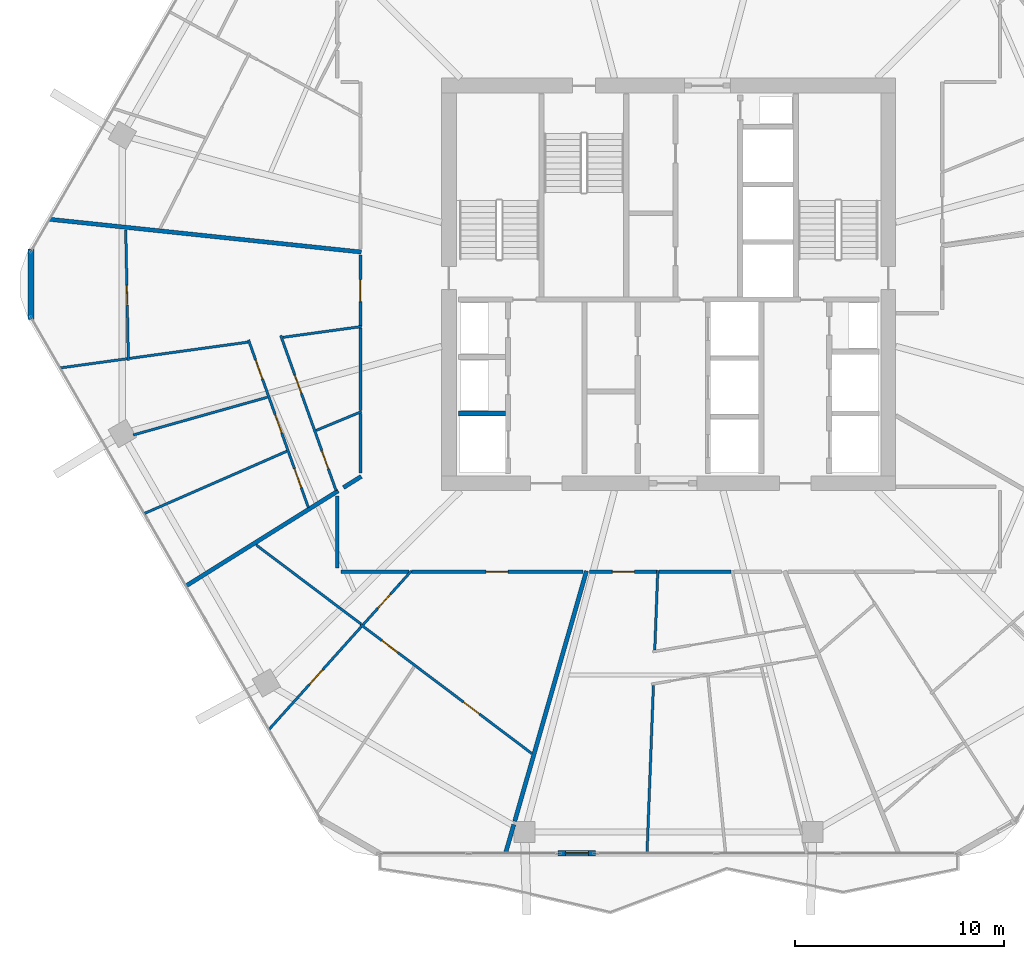
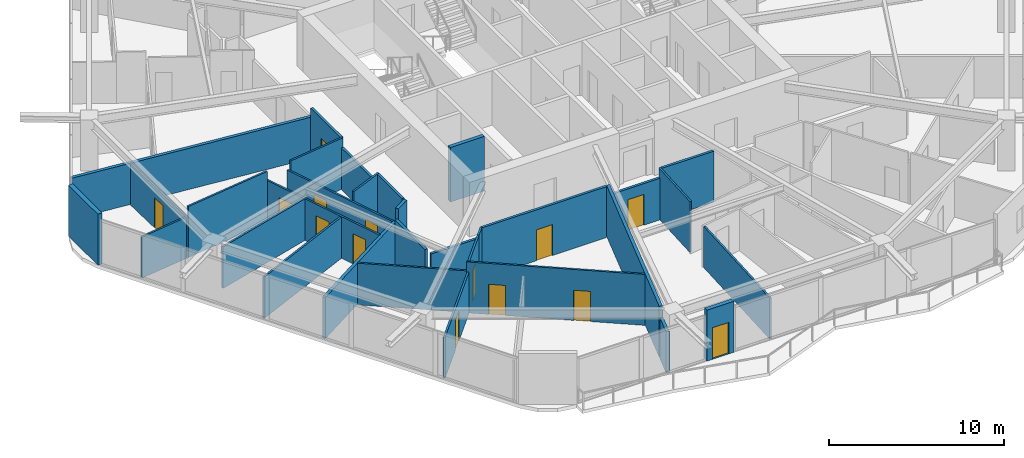
# One storey, part 17 of 25: 32 walls, 14 doors, 14 openings.
"""IFC4 building model written with IfcOpenShell, lengths in metres."""

from ifc_helpers import new_model, si_unit, direction, frame, frame_2d, origin, place, context, subcontext, project, spatial, rectangle, extrude, material, layer, layer_set, type_object, element, fill, save


model = new_model("IFC4")

# Units and contexts
model_context = context("Model", 3, precision=1e-05, world=origin(), true_north=direction((0.0, 1.0)))
body_context = subcontext(model_context, "Body", "Model", "MODEL_VIEW")
ifc_project = project(units=[si_unit("LENGTHUNIT", "METRE"), si_unit("AREAUNIT", "SQUARE_METRE"), si_unit("VOLUMEUNIT", "CUBIC_METRE"), si_unit("PLANEANGLEUNIT", "RADIAN"), si_unit("MASSUNIT", "GRAM", prefix="KILO")], contexts=[model_context])

# Site, building, storey
site_placement = place(None, origin())
site = spatial("IfcSite", under=ifc_project, at=site_placement, CompositionType="ELEMENT")
building_placement = place(site_placement, origin())
building = spatial("IfcBuilding", under=site, at=building_placement, Name="Zuhravey Tower", CompositionType="ELEMENT")
storey_placement = place(building_placement, frame((0.0, 0.0, 150.39990234375)))
storey = spatial("IfcBuildingStorey", under=building, at=storey_placement, Name="L37", CompositionType="ELEMENT", Elevation=150.39990234375)

# Wall, opening, door
ifc_material_1 = material(Name="Gypsum fire-rated stud partition")
ifc_layer_1 = layer(ifc_material_1, 0.159912109375)
ifc_layer_set_1 = layer_set([ifc_layer_1], Name="Gypsum fire-rated stud partition")
wall_type_1 = type_object("IfcWallType", Name="Corridor Fire Partition 160", PredefinedType="PARTITIONING", material=ifc_layer_set_1)
wall_1_placement = place(storey_placement, frame((21.27001953125, 33.398193359375, 0.0), z_axis=(0.0, 0.0, 1.0), x_axis=(0.0, -1.0, 0.0)))
wall_1 = element("IfcWall", 1, at=wall_1_placement, inside=storey, type_object=wall_type_1, Name="L37 IW16 Partition 041", PredefinedType="PARTITIONING", context=body_context, shape_type="SweptSolid", body=[
    extrude(rectangle(XDim=3.40087890625, YDim=0.159912109375, at=frame_2d((1.700439453125, 0.0))), origin(), (0.0, 0.0, 1.0), 3.550048828125),
])
opening_1_placement = place(wall_1_placement, frame((1.175537109375, 0.0, 0.0)))
opening_1 = element("IfcOpeningElement", 2, at=opening_1_placement, cuts=wall_1, Name="Opening APD1", PredefinedType="OPENING", context=body_context, shape_type="SweptSolid", body=[
    extrude(rectangle(XDim=1.050048828125, YDim=2.14990234375, at=frame_2d((0.52490234375, 1.074951171875))), frame((0.0, 0.092041015625, 0.0), z_axis=(0.0, -1.0, 0.0), x_axis=(1.0, 0.0, 0.0)), (0.0, 0.0, 1.0), 0.183837890625),
])
ifc_material_2 = material(Name="Solid-core oak fire-rated leaf")
door_type_1 = type_object("IfcDoorType", Name="Apartment Entrance Fire Door 1050x2150", OperationType="NOTDEFINED", PredefinedType="DOOR", material=ifc_material_2)
door_1_placement = place(opening_1_placement, frame((1.050048828125, 0.0, 0.0), z_axis=(0.0, 0.0, 1.0), x_axis=(-1.0, 0.0, 0.0)))
door_1 = element("IfcDoor", 3, at=door_1_placement, inside=storey, type_object=door_type_1, Name="L37 Door 041.1", OperationType="SINGLE_SWING_LEFT", OverallHeight=2.14990234375, OverallWidth=1.050048828125, PredefinedType="DOOR", context=body_context, shape_type="SweptSolid", body=[
    extrude(rectangle(XDim=1.050048828125, YDim=2.14990234375, at=frame_2d((0.52490234375, 1.074951171875))), frame((0.0, 0.02490234375, 0.0), z_axis=(0.0, -1.0, 0.0), x_axis=(1.0, 0.0, 0.0)), (0.0, 0.0, 1.0), 0.050048828125),
])
fill(opening_1, door_1)

wall_2_placement = place(storey_placement, frame((23.698974609375, 18.27001953125, 0.0), z_axis=(0.0, 0.0, 1.0), x_axis=(1.0, 0.0, 0.0)))
wall_2 = element("IfcWall", 4, at=wall_2_placement, inside=storey, type_object=wall_type_1, Name="L37 IW16 Partition 045", PredefinedType="PARTITIONING", context=body_context, shape_type="SweptSolid", body=[
    extrude(rectangle(XDim=8.213134765625, YDim=0.159912109375, at=frame_2d((4.1064453125, 0.0))), origin(), (0.0, 0.0, 1.0), 3.550048828125),
])
opening_2_placement = place(wall_2_placement, frame((3.58154296875, 0.0, 0.0)))
opening_2 = element("IfcOpeningElement", 5, at=opening_2_placement, cuts=wall_2, Name="Opening APD1", PredefinedType="OPENING", context=body_context, shape_type="SweptSolid", body=[
    extrude(rectangle(XDim=1.050048828125, YDim=2.14990234375, at=frame_2d((0.52490234375, 1.074951171875))), frame((0.0, 0.092041015625, 0.0), z_axis=(0.0, -1.0, 0.0), x_axis=(1.0, 0.0, 0.0)), (0.0, 0.0, 1.0), 0.183837890625),
])
door_2_placement = place(opening_2_placement, frame((1.050048828125, 0.0, 0.0), z_axis=(0.0, 0.0, 1.0), x_axis=(-1.0, 0.0, 0.0)))
door_2 = element("IfcDoor", 6, at=door_2_placement, inside=storey, type_object=door_type_1, Name="L37 Door 045.1", OperationType="SINGLE_SWING_RIGHT", OverallHeight=2.14990234375, OverallWidth=1.050048828125, PredefinedType="DOOR", context=body_context, shape_type="SweptSolid", body=[
    extrude(rectangle(XDim=1.050048828125, YDim=2.14990234375, at=frame_2d((0.52490234375, 1.074951171875))), frame((0.0, 0.02490234375, 0.0), z_axis=(0.0, -1.0, 0.0), x_axis=(1.0, 0.0, 0.0)), (0.0, 0.0, 1.0), 0.050048828125),
])
fill(opening_2, door_2)

wall_3_placement = place(storey_placement, frame((32.213134765625, 18.27001953125, 0.0), z_axis=(0.0, 0.0, 1.0), x_axis=(1.0, 0.0, 0.0)))
wall_3 = element("IfcWall", 7, at=wall_3_placement, inside=storey, type_object=wall_type_1, Name="L37 IW16 Partition 048", PredefinedType="PARTITIONING", context=body_context, shape_type="SweptSolid", body=[
    extrude(rectangle(XDim=3.244140625, YDim=0.159912109375, at=frame_2d((1.6220703125, 0.0))), origin(), (0.0, 0.0, 1.0), 2.900146484375),
])
opening_3_placement = place(wall_3_placement, frame((1.09716796875, 0.0, 0.0)))
opening_3 = element("IfcOpeningElement", 8, at=opening_3_placement, cuts=wall_3, Name="Opening APD1", PredefinedType="OPENING", context=body_context, shape_type="SweptSolid", body=[
    extrude(rectangle(XDim=1.050048828125, YDim=2.14990234375, at=frame_2d((0.52490234375, 1.074951171875))), frame((0.0, 0.092041015625, 0.0), z_axis=(0.0, -1.0, 0.0), x_axis=(1.0, 0.0, 0.0)), (0.0, 0.0, 1.0), 0.183837890625),
])
door_3_placement = place(opening_3_placement, frame((1.050048828125, 0.0, 0.0), z_axis=(0.0, 0.0, 1.0), x_axis=(-1.0, 0.0, 0.0)))
door_3 = element("IfcDoor", 9, at=door_3_placement, inside=storey, type_object=door_type_1, Name="L37 Door 048.1", OperationType="SINGLE_SWING_RIGHT", OverallHeight=2.14990234375, OverallWidth=1.050048828125, PredefinedType="DOOR", context=body_context, shape_type="SweptSolid", body=[
    extrude(rectangle(XDim=1.050048828125, YDim=2.14990234375, at=frame_2d((0.52490234375, 1.074951171875))), frame((0.0, 0.02490234375, 0.0), z_axis=(0.0, -1.0, 0.0), x_axis=(1.0, 0.0, 0.0)), (0.0, 0.0, 1.0), 0.050048828125),
])
fill(opening_3, door_3)

# Walls
wall_4_placement = place(storey_placement, frame((21.27001953125, 29.908203125, 0.0), z_axis=(0.0, 0.0, 1.0), x_axis=(0.0, -1.0, 0.0)))
element("IfcWall", 10, at=wall_4_placement, inside=storey, type_object=wall_type_1, Name="L37 IW16 Partition 123", PredefinedType="PARTITIONING", context=body_context, shape_type="SweptSolid", body=[
    extrude(rectangle(XDim=3.9365234375, YDim=0.159912109375, at=frame_2d((1.96826171875, 0.0))), origin(), (0.0, 0.0, 1.0), 2.900146484375),
])
wall_5_placement = place(storey_placement, frame((21.27001953125, 25.82470703125, 0.0), z_axis=(0.0, 0.0, 1.0), x_axis=(0.0, -1.0, 0.0)))
element("IfcWall", 11, at=wall_5_placement, inside=storey, type_object=wall_type_1, Name="L37 IW16 Partition 124", PredefinedType="PARTITIONING", context=body_context, shape_type="SweptSolid", body=[
    extrude(rectangle(XDim=2.827880859375, YDim=0.159912109375, at=frame_2d((1.4140625, 0.0))), origin(), (0.0, 0.0, 1.0), 3.550048828125),
])
wall_6_placement = place(storey_placement, frame((20.169921875, 21.8916015625, 0.0), z_axis=(0.0, 0.0, 1.0), x_axis=(0.0, -1.0, 0.0)))
element("IfcWall", 12, at=wall_6_placement, inside=storey, type_object=wall_type_1, Name="L37 IW16 Partition 125", PredefinedType="PARTITIONING", context=body_context, shape_type="SweptSolid", body=[
    extrude(rectangle(XDim=3.441650390625, YDim=0.159912109375, at=frame_2d((1.720703125, 0.0))), origin(), (0.0, 0.0, 1.0), 3.150146484375),
])
wall_7_placement = place(storey_placement, frame((20.35009765625, 18.27001953125, 0.0), z_axis=(0.0, 0.0, 1.0), x_axis=(1.0, 0.0, 0.0)))
element("IfcWall", 13, at=wall_7_placement, inside=storey, type_object=wall_type_1, Name="L37 IW16 Partition 126", PredefinedType="PARTITIONING", context=body_context, shape_type="SweptSolid", body=[
    extrude(rectangle(XDim=3.230712890625, YDim=0.159912109375, at=frame_2d((1.615234375, 0.0))), origin(), (0.0, 0.0, 1.0), 2.900146484375),
])
wall_8_placement = place(storey_placement, frame((35.54541015625, 18.27001953125, 0.0), z_axis=(0.0, 0.0, 1.0), x_axis=(1.0, 0.0, 0.0)))
element("IfcWall", 14, at=wall_8_placement, inside=storey, type_object=wall_type_1, Name="L37 IW16 Partition 127", PredefinedType="PARTITIONING", context=body_context, shape_type="SweptSolid", body=[
    extrude(rectangle(XDim=3.42919921875, YDim=0.159912109375, at=frame_2d((1.714599609375, 0.0))), origin(), (0.0, 0.0, 1.0), 3.550048828125),
])

# Wall, opening, door
ifc_material_3 = material(Name="Precast concrete C40/50", Category="concrete")
ifc_layer_2 = layer(ifc_material_3, 0.280029296875)
ifc_layer_set_2 = layer_set([ifc_layer_2], Name="Precast concrete C40/50")
wall_type_2 = type_object("IfcWallType", Name="Crown Architectural Wall 280", PredefinedType="SOLIDWALL", material=ifc_layer_set_2)
wall_9_placement = place(storey_placement, frame((32.509521484375, 4.81689453125, 0.0), z_axis=(0.0, 0.0, 1.0), x_axis=(-1.0, 0.0, 0.0)))
wall_9 = element("IfcWall", 15, at=wall_9_placement, inside=storey, type_object=wall_type_2, Name="L37 Face 5 Facade Pier EW28-1", PredefinedType="SOLIDWALL", context=body_context, shape_type="SweptSolid", body=[
    extrude(rectangle(XDim=1.7900390625, YDim=0.280029296875, at=frame_2d((0.89501953125, 0.0))), origin(), (0.0, 0.0, 1.0), 3.550048828125),
])
opening_4_placement = place(wall_9_placement, frame((0.344970703125, 0.0, 0.0)))
opening_4 = element("IfcOpeningElement", 16, at=opening_4_placement, cuts=wall_9, Name="Opening BLD1", PredefinedType="OPENING", context=body_context, shape_type="SweptSolid", body=[
    extrude(rectangle(XDim=1.10009765625, YDim=2.199951171875, at=frame_2d((0.550048828125, 1.10009765625))), frame((0.0, 0.152099609375, 0.0), z_axis=(0.0, -1.0, 0.0), x_axis=(1.0, 0.0, 0.0)), (0.0, 0.0, 1.0), 0.303955078125),
])
ifc_material_4 = material(Name="Thermally broken aluminium and low-E glass", Category="aluminium")
door_type_2 = type_object("IfcDoorType", Name="Balcony & Sky-Tray Glazed Door 1100x2200", OperationType="NOTDEFINED", PredefinedType="DOOR", material=ifc_material_4)
door_4_placement = place(opening_4_placement, frame((1.10009765625, 0.0, 0.0), z_axis=(0.0, 0.0, 1.0), x_axis=(-1.0, 0.0, 0.0)))
door_4 = element("IfcDoor", 17, at=door_4_placement, inside=storey, type_object=door_type_2, Name="L37 Face 5 Wave Balcony Door", OperationType="SINGLE_SWING_LEFT", OverallHeight=2.199951171875, OverallWidth=1.10009765625, PredefinedType="DOOR", context=body_context, shape_type="SweptSolid", body=[
    extrude(rectangle(XDim=1.10009765625, YDim=2.199951171875, at=frame_2d((0.550048828125, 1.10009765625))), frame((0.0, 0.02490234375, 0.0), z_axis=(0.0, -1.0, 0.0), x_axis=(1.0, 0.0, 0.0)), (0.0, 0.0, 1.0), 0.050048828125),
])
fill(opening_4, door_4)

# Walls
wall_10_placement = place(storey_placement, frame((5.5283203125, 30.3173828125, 0.0), z_axis=(0.0, 0.0, 1.0), x_axis=(0.0, 1.0, 0.0)))
element("IfcWall", 18, at=wall_10_placement, inside=storey, type_object=wall_type_2, Name="L37 Rounded Corner Closure Wall EW28-06", PredefinedType="SOLIDWALL", context=body_context, shape_type="SweptSolid", body=[
    extrude(rectangle(XDim=3.365234375, YDim=0.280029296875, at=frame_2d((1.6826171875, 0.0))), origin(), (0.0, 0.0, 1.0), 3.550048828125),
])
ifc_material_5 = material(Name="Concrete C50/60", Category="concrete")
ifc_layer_3 = layer(ifc_material_5, 0.25)
ifc_layer_set_3 = layer_set([ifc_layer_3], Name="Concrete C50/60")
wall_type_3 = type_object("IfcWallType", Name="Firefighting Shaft & Stair Wall 250", PredefinedType="SOLIDWALL", material=ifc_layer_set_3)
wall_11_placement = place(storey_placement, frame((25.949951171875, 25.824951171875, 0.0), z_axis=(0.0, 0.0, 1.0), x_axis=(1.0, 0.0, 0.0)))
element("IfcWall", 19, at=wall_11_placement, inside=storey, type_object=wall_type_3, Name="L37 FW25 Shaft Wall 009", PredefinedType="SOLIDWALL", context=body_context, shape_type="SweptSolid", body=[
    extrude(rectangle(XDim=2.25, YDim=0.25, at=frame_2d((1.125, 0.0))), origin(), (0.0, 0.0, 1.0), 3.800048828125),
])
ifc_material_6 = material(Name="Gypsum double-stud party assembly")
ifc_layer_4 = layer(ifc_material_6, 0.199951171875)
ifc_layer_set_4 = layer_set([ifc_layer_4], Name="Gypsum double-stud party assembly")
wall_type_4 = type_object("IfcWallType", Name="Inter-Tenancy Party Wall 200", PredefinedType="PARTITIONING", material=ifc_layer_set_4)
wall_12_placement = place(storey_placement, frame((21.31005859375, 33.5439453125, 0.0), z_axis=(0.0, 0.0, 1.0), x_axis=(-0.994521332404, 0.104533819379, 0.0)))
element("IfcWall", 20, at=wall_12_placement, inside=storey, type_object=wall_type_4, Name="L37 IW20 Partition 085", PredefinedType="PARTITIONING", context=body_context, shape_type="SweptSolid", body=[
    extrude(rectangle(XDim=14.984619140625, YDim=0.199951171875, at=frame_2d((7.4921875, 0.0))), origin(), (0.0, 0.0, 1.0), 2.8701171875),
])
wall_13_placement = place(storey_placement, frame((21.31005859375, 22.82080078125, 0.0), z_axis=(0.0, 0.0, 1.0), x_axis=(-0.848039384523, -0.529933205506, 0.0)))
element("IfcWall", 21, at=wall_13_placement, inside=storey, type_object=wall_type_4, Name="L37 IW20 Partition 092", PredefinedType="PARTITIONING", context=body_context, shape_type="SweptSolid", body=[
    extrude(rectangle(XDim=1.00146484375, YDim=0.199951171875, at=frame_2d((0.500732421875, 0.0))), origin(), (0.0, 0.0, 1.0), 3.550048828125),
])
wall_14_placement = place(storey_placement, frame((20.2099609375, 22.13330078125, 0.0), z_axis=(0.0, 0.0, 1.0), x_axis=(-0.848051050333, -0.529914536534, 0.0)))
element("IfcWall", 22, at=wall_14_placement, inside=storey, type_object=wall_type_4, Name="L37 IW20 Partition 093", PredefinedType="PARTITIONING", context=body_context, shape_type="SweptSolid", body=[
    extrude(rectangle(XDim=8.580322265625, YDim=0.199951171875, at=frame_2d((4.2900390625, 0.0))), origin(), (0.0, 0.0, 1.0), 2.8701171875),
])
wall_15_placement = place(storey_placement, frame((32.074462890625, 18.31005859375, 0.0), z_axis=(0.0, 0.0, 1.0), x_axis=(-0.275640788156, -0.961260711724, 0.0)))
element("IfcWall", 23, at=wall_15_placement, inside=storey, type_object=wall_type_4, Name="L37 IW20 Partition 097", PredefinedType="PARTITIONING", context=body_context, shape_type="SweptSolid", body=[
    extrude(rectangle(XDim=12.4453125, YDim=0.199951171875, at=frame_2d((6.22265625, 0.0))), origin(), (0.0, 0.0, 1.0), 3.550048828125),
])
wall_16_placement = place(storey_placement, frame((28.597900390625, 6.186279296875, 0.0), z_axis=(0.0, 0.0, 1.0), x_axis=(-0.275581158173, -0.961277808576, 0.0)))
element("IfcWall", 24, at=wall_16_placement, inside=storey, type_object=wall_type_4, Name="L37 IW20 Partition 098", PredefinedType="PARTITIONING", context=body_context, shape_type="SweptSolid", body=[
    extrude(rectangle(XDim=1.424560546875, YDim=0.199951171875, at=frame_2d((0.71240234375, 0.0))), origin(), (0.0, 0.0, 1.0), 2.8701171875),
])

# Wall, opening, door
ifc_material_7 = material(Name="Gypsum metal-stud partition")
ifc_layer_5 = layer(ifc_material_7, 0.1201171875)
ifc_layer_set_5 = layer_set([ifc_layer_5], Name="Gypsum metal-stud partition")
wall_type_5 = type_object("IfcWallType", Name="Unit Internal Partition 120", PredefinedType="PARTITIONING", material=ifc_layer_set_5)
wall_17_placement = place(storey_placement, frame((10.05419921875, 34.598876953125, 0.0), z_axis=(0.0, 0.0, 1.0), x_axis=(0.020243671552, -0.999795075884, 0.0)))
wall_17 = element("IfcWall", 25, at=wall_17_placement, inside=storey, type_object=wall_type_5, Name="L37 IW12 Partition 038", PredefinedType="PARTITIONING", context=body_context, shape_type="SweptSolid", body=[
    extrude(rectangle(XDim=6.2470703125, YDim=0.1201171875, at=frame_2d((3.12353515625, 0.0))), origin(), (0.0, 0.0, 1.0), 2.8701171875),
])
opening_5_placement = place(wall_17_placement, frame((2.6484375, 0.0, 0.0)))
opening_5 = element("IfcOpeningElement", 26, at=opening_5_placement, cuts=wall_17, Name="Opening IND1", PredefinedType="OPENING", context=body_context, shape_type="SweptSolid", body=[
    extrude(rectangle(XDim=0.949951171875, YDim=2.10009765625, at=frame_2d((0.47509765625, 1.050048828125))), frame((0.0, 0.072021484375, 0.0), z_axis=(0.0, -1.0, 0.0), x_axis=(1.0, 0.0, 0.0)), (0.0, 0.0, 1.0), 0.14404296875),
])
ifc_material_8 = material(Name="Painted engineered timber leaf", Category="wood")
door_type_3 = type_object("IfcDoorType", Name="Internal Room & Bedroom Door 950x2100", OperationType="NOTDEFINED", PredefinedType="DOOR", material=ifc_material_8)
door_5_placement = place(opening_5_placement, frame((0.949951171875, 0.0, 0.0), z_axis=(0.0, 0.0, 1.0), x_axis=(-1.0, 0.0, 0.0)))
door_5 = element("IfcDoor", 27, at=door_5_placement, inside=storey, type_object=door_type_3, Name="Apartment L37-05 Family Study Door", OperationType="SINGLE_SWING_LEFT", OverallHeight=2.10009765625, OverallWidth=0.949951171875, PredefinedType="DOOR", context=body_context, shape_type="SweptSolid", body=[
    extrude(rectangle(XDim=0.949951171875, YDim=2.10009765625, at=frame_2d((0.47509765625, 1.050048828125))), frame((0.0, 0.02490234375, 0.0), z_axis=(0.0, -1.0, 0.0), x_axis=(1.0, 0.0, 0.0)), (0.0, 0.0, 1.0), 0.050048828125),
])
fill(opening_5, door_5)

# Wall, openings, doors
wall_18_placement = place(storey_placement, frame((17.459716796875, 29.5546875, 0.0), z_axis=(0.0, 0.0, 1.0), x_axis=(0.336444483984, -0.941703302106, 0.0)))
wall_18 = element("IfcWall", 28, at=wall_18_placement, inside=storey, type_object=wall_type_5, Name="L37 IW12 Partition 039", PredefinedType="PARTITIONING", context=body_context, shape_type="SweptSolid", body=[
    extrude(rectangle(XDim=7.86962890625, YDim=0.1201171875, at=frame_2d((3.934814453125, 0.0))), origin(), (0.0, 0.0, 1.0), 2.900146484375),
])
opening_6_placement = place(wall_18_placement, frame((1.997314453125, 0.0, 0.0)))
opening_6 = element("IfcOpeningElement", 29, at=opening_6_placement, cuts=wall_18, Name="Opening IND1", PredefinedType="OPENING", context=body_context, shape_type="SweptSolid", body=[
    extrude(rectangle(XDim=0.949951171875, YDim=2.10009765625, at=frame_2d((0.47509765625, 1.050048828125))), frame((0.0, 0.072021484375, 0.0), z_axis=(0.0, -1.0, 0.0), x_axis=(1.0, 0.0, 0.0)), (0.0, 0.0, 1.0), 0.14404296875),
])
opening_7_placement = place(wall_18_placement, frame((5.854736328125, 0.0, 0.0)))
opening_7 = element("IfcOpeningElement", 30, at=opening_7_placement, cuts=wall_18, Name="Opening WCD1", PredefinedType="OPENING", context=body_context, shape_type="SweptSolid", body=[
    extrude(rectangle(XDim=0.89990234375, YDim=2.10009765625, at=frame_2d((0.449951171875, 1.050048828125))), frame((0.0, 0.072021484375, 0.0), z_axis=(0.0, -1.0, 0.0), x_axis=(1.0, 0.0, 0.0)), (0.0, 0.0, 1.0), 0.14404296875),
])
ifc_material_9 = material(Name="Moisture-resistant timber leaf", Category="wood")
door_type_4 = type_object("IfcDoorType", Name="Bathroom & WC Internal Door 900x2100", OperationType="NOTDEFINED", PredefinedType="DOOR", material=ifc_material_9)
door_6_placement = place(opening_7_placement, origin())
door_6 = element("IfcDoor", 31, at=door_6_placement, inside=storey, type_object=door_type_4, Name="Apartment L37-05 Bathroom Door", OperationType="SINGLE_SWING_LEFT", OverallHeight=2.10009765625, OverallWidth=0.89990234375, PredefinedType="DOOR", context=body_context, shape_type="SweptSolid", body=[
    extrude(rectangle(XDim=0.89990234375, YDim=2.10009765625, at=frame_2d((0.449951171875, 1.050048828125))), frame((0.0, 0.02490234375, 0.0), z_axis=(0.0, -1.0, 0.0), x_axis=(1.0, 0.0, 0.0)), (0.0, 0.0, 1.0), 0.050048828125),
])
fill(opening_7, door_6)
door_7_placement = place(opening_6_placement, origin())
door_7 = element("IfcDoor", 32, at=door_7_placement, inside=storey, type_object=door_type_3, Name="Apartment L37-05 Kitchen Door", OperationType="SINGLE_SWING_RIGHT", OverallHeight=2.10009765625, OverallWidth=0.949951171875, PredefinedType="DOOR", context=body_context, shape_type="SweptSolid", body=[
    extrude(rectangle(XDim=0.949951171875, YDim=2.10009765625, at=frame_2d((0.47509765625, 1.050048828125))), frame((0.0, 0.02490234375, 0.0), z_axis=(0.0, -1.0, 0.0), x_axis=(1.0, 0.0, 0.0)), (0.0, 0.0, 1.0), 0.050048828125),
])
fill(opening_6, door_7)

wall_19_placement = place(storey_placement, frame((15.921142578125, 29.34326171875, 0.0), z_axis=(0.0, 0.0, 1.0), x_axis=(0.336440023532, -0.941704895689, 0.0)))
wall_19 = element("IfcWall", 33, at=wall_19_placement, inside=storey, type_object=wall_type_5, Name="L37 IW12 Partition 040", PredefinedType="PARTITIONING", context=body_context, shape_type="SweptSolid", body=[
    extrude(rectangle(XDim=8.5068359375, YDim=0.1201171875, at=frame_2d((4.25341796875, 0.0))), origin(), (0.0, 0.0, 1.0), 2.900146484375),
])
opening_8_placement = place(wall_19_placement, frame((1.0185546875, 0.0, 0.0)))
opening_8 = element("IfcOpeningElement", 34, at=opening_8_placement, cuts=wall_19, Name="Opening IND1", PredefinedType="OPENING", context=body_context, shape_type="SweptSolid", body=[
    extrude(rectangle(XDim=0.949951171875, YDim=2.10009765625, at=frame_2d((0.47509765625, 1.050048828125))), frame((0.0, 0.072021484375, 0.0), z_axis=(0.0, -1.0, 0.0), x_axis=(1.0, 0.0, 0.0)), (0.0, 0.0, 1.0), 0.14404296875),
])
opening_9_placement = place(wall_19_placement, frame((3.778564453125, 0.0, 0.0)))
opening_9 = element("IfcOpeningElement", 35, at=opening_9_placement, cuts=wall_19, Name="Opening IND1", PredefinedType="OPENING", context=body_context, shape_type="SweptSolid", body=[
    extrude(rectangle(XDim=0.949951171875, YDim=2.10009765625, at=frame_2d((0.47509765625, 1.050048828125))), frame((0.0, 0.072021484375, 0.0), z_axis=(0.0, -1.0, 0.0), x_axis=(1.0, 0.0, 0.0)), (0.0, 0.0, 1.0), 0.14404296875),
])
opening_10_placement = place(wall_19_placement, frame((6.538330078125, 0.0, 0.0)))
opening_10 = element("IfcOpeningElement", 36, at=opening_10_placement, cuts=wall_19, Name="Opening IND1", PredefinedType="OPENING", context=body_context, shape_type="SweptSolid", body=[
    extrude(rectangle(XDim=0.949951171875, YDim=2.10009765625, at=frame_2d((0.47509765625, 1.050048828125))), frame((0.0, 0.072021484375, 0.0), z_axis=(0.0, -1.0, 0.0), x_axis=(1.0, 0.0, 0.0)), (0.0, 0.0, 1.0), 0.14404296875),
])
door_8_placement = place(opening_8_placement, frame((0.949951171875, 0.0, 0.0), z_axis=(0.0, 0.0, 1.0), x_axis=(-1.0, 0.0, 0.0)))
door_8 = element("IfcDoor", 37, at=door_8_placement, inside=storey, type_object=door_type_3, Name="Apartment L37-05 Bedroom 1 Door", OperationType="SINGLE_SWING_RIGHT", OverallHeight=2.10009765625, OverallWidth=0.949951171875, PredefinedType="DOOR", context=body_context, shape_type="SweptSolid", body=[
    extrude(rectangle(XDim=0.949951171875, YDim=2.10009765625, at=frame_2d((0.47509765625, 1.050048828125))), frame((0.0, 0.02490234375, 0.0), z_axis=(0.0, -1.0, 0.0), x_axis=(1.0, 0.0, 0.0)), (0.0, 0.0, 1.0), 0.050048828125),
])
fill(opening_8, door_8)
door_9_placement = place(opening_9_placement, frame((0.949951171875, 0.0, 0.0), z_axis=(0.0, 0.0, 1.0), x_axis=(-1.0, 0.0, 0.0)))
door_9 = element("IfcDoor", 38, at=door_9_placement, inside=storey, type_object=door_type_3, Name="Apartment L37-05 Bedroom 2 Door", OperationType="SINGLE_SWING_LEFT", OverallHeight=2.10009765625, OverallWidth=0.949951171875, PredefinedType="DOOR", context=body_context, shape_type="SweptSolid", body=[
    extrude(rectangle(XDim=0.949951171875, YDim=2.10009765625, at=frame_2d((0.47509765625, 1.050048828125))), frame((0.0, 0.02490234375, 0.0), z_axis=(0.0, -1.0, 0.0), x_axis=(1.0, 0.0, 0.0)), (0.0, 0.0, 1.0), 0.050048828125),
])
fill(opening_9, door_9)
door_10_placement = place(opening_10_placement, frame((0.949951171875, 0.0, 0.0), z_axis=(0.0, 0.0, 1.0), x_axis=(-1.0, 0.0, 0.0)))
door_10 = element("IfcDoor", 39, at=door_10_placement, inside=storey, type_object=door_type_3, Name="Apartment L37-05 Bedroom 3 Door", OperationType="SINGLE_SWING_RIGHT", OverallHeight=2.10009765625, OverallWidth=0.949951171875, PredefinedType="DOOR", context=body_context, shape_type="SweptSolid", body=[
    extrude(rectangle(XDim=0.949951171875, YDim=2.10009765625, at=frame_2d((0.47509765625, 1.050048828125))), frame((0.0, 0.02490234375, 0.0), z_axis=(0.0, -1.0, 0.0), x_axis=(1.0, 0.0, 0.0)), (0.0, 0.0, 1.0), 0.050048828125),
])
fill(opening_10, door_10)

wall_20_placement = place(storey_placement, frame((21.2744140625, 15.749267578125, 0.0), z_axis=(0.0, 0.0, 1.0), x_axis=(0.798637831458, -0.601811942524, 0.0)))
wall_20 = element("IfcWall", 40, at=wall_20_placement, inside=storey, type_object=wall_type_5, Name="L37 IW12 Partition 042", PredefinedType="PARTITIONING", context=body_context, shape_type="SweptSolid", body=[
    extrude(rectangle(XDim=10.253173828125, YDim=0.1201171875, at=frame_2d((5.12646484375, 0.0))), origin(), (0.0, 0.0, 1.0), 3.550048828125),
])
opening_11_placement = place(wall_20_placement, frame((1.27685546875, 0.0, 0.0)))
opening_11 = element("IfcOpeningElement", 41, at=opening_11_placement, cuts=wall_20, Name="Opening IND1", PredefinedType="OPENING", context=body_context, shape_type="SweptSolid", body=[
    extrude(rectangle(XDim=0.949951171875, YDim=2.10009765625, at=frame_2d((0.47509765625, 1.050048828125))), frame((0.0, 0.072021484375, 0.0), z_axis=(0.0, -1.0, 0.0), x_axis=(1.0, 0.0, 0.0)), (0.0, 0.0, 1.0), 0.14404296875),
])
opening_12_placement = place(wall_20_placement, frame((6.1630859375, 0.0, 0.0)))
opening_12 = element("IfcOpeningElement", 42, at=opening_12_placement, cuts=wall_20, Name="Opening IND1", PredefinedType="OPENING", context=body_context, shape_type="SweptSolid", body=[
    extrude(rectangle(XDim=0.949951171875, YDim=2.10009765625, at=frame_2d((0.47509765625, 1.050048828125))), frame((0.0, 0.072021484375, 0.0), z_axis=(0.0, -1.0, 0.0), x_axis=(1.0, 0.0, 0.0)), (0.0, 0.0, 1.0), 0.14404296875),
])
door_11_placement = place(opening_11_placement, frame((0.949951171875, 0.0, 0.0), z_axis=(0.0, 0.0, 1.0), x_axis=(-1.0, 0.0, 0.0)))
door_11 = element("IfcDoor", 43, at=door_11_placement, inside=storey, type_object=door_type_3, Name="Apartment L37-06 Family Study Door", OperationType="SINGLE_SWING_RIGHT", OverallHeight=2.10009765625, OverallWidth=0.949951171875, PredefinedType="DOOR", context=body_context, shape_type="SweptSolid", body=[
    extrude(rectangle(XDim=0.949951171875, YDim=2.10009765625, at=frame_2d((0.47509765625, 1.050048828125))), frame((0.0, 0.02490234375, 0.0), z_axis=(0.0, -1.0, 0.0), x_axis=(1.0, 0.0, 0.0)), (0.0, 0.0, 1.0), 0.050048828125),
])
fill(opening_11, door_11)
door_12_placement = place(opening_12_placement, frame((0.949951171875, 0.0, 0.0), z_axis=(0.0, 0.0, 1.0), x_axis=(-1.0, 0.0, 0.0)))
door_12 = element("IfcDoor", 44, at=door_12_placement, inside=storey, type_object=door_type_3, Name="Apartment L37-06 Dining Room Door", OperationType="SINGLE_SWING_LEFT", OverallHeight=2.10009765625, OverallWidth=0.949951171875, PredefinedType="DOOR", context=body_context, shape_type="SweptSolid", body=[
    extrude(rectangle(XDim=0.949951171875, YDim=2.10009765625, at=frame_2d((0.47509765625, 1.050048828125))), frame((0.0, 0.02490234375, 0.0), z_axis=(0.0, -1.0, 0.0), x_axis=(1.0, 0.0, 0.0)), (0.0, 0.0, 1.0), 0.050048828125),
])
fill(opening_12, door_12)

# Wall, opening, door
wall_21_placement = place(storey_placement, frame((23.160400390625, 17.699951171875, 0.0), z_axis=(0.0, 0.0, 1.0), x_axis=(-0.668093965752, -0.744076913313, 0.0)))
wall_21 = element("IfcWall", 45, at=wall_21_placement, inside=storey, type_object=wall_type_5, Name="L37 IW12 Partition 043", PredefinedType="PARTITIONING", context=body_context, shape_type="SweptSolid", body=[
    extrude(rectangle(XDim=2.634765625, YDim=0.1201171875, at=frame_2d((1.3173828125, 0.0))), origin(), (0.0, 0.0, 1.0), 3.550048828125),
])
opening_13_placement = place(wall_21_placement, frame((0.682861328125, 0.0, 0.0)))
opening_13 = element("IfcOpeningElement", 46, at=opening_13_placement, cuts=wall_21, Name="Opening WCD1", PredefinedType="OPENING", context=body_context, shape_type="SweptSolid", body=[
    extrude(rectangle(XDim=0.89990234375, YDim=2.10009765625, at=frame_2d((0.449951171875, 1.050048828125))), frame((0.0, 0.072021484375, 0.0), z_axis=(0.0, -1.0, 0.0), x_axis=(1.0, 0.0, 0.0)), (0.0, 0.0, 1.0), 0.14404296875),
])
door_13_placement = place(opening_13_placement, frame((0.89990234375, 0.0, 0.0), z_axis=(0.0, 0.0, 1.0), x_axis=(-1.0, 0.0, 0.0)))
door_13 = element("IfcDoor", 47, at=door_13_placement, inside=storey, type_object=door_type_4, Name="Apartment L37-06 Bathroom Door", OperationType="SINGLE_SWING_RIGHT", OverallHeight=2.10009765625, OverallWidth=0.89990234375, PredefinedType="DOOR", context=body_context, shape_type="SweptSolid", body=[
    extrude(rectangle(XDim=0.89990234375, YDim=2.10009765625, at=frame_2d((0.449951171875, 1.050048828125))), frame((0.0, 0.02490234375, 0.0), z_axis=(0.0, -1.0, 0.0), x_axis=(1.0, 0.0, 0.0)), (0.0, 0.0, 1.0), 0.050048828125),
])
fill(opening_13, door_13)

wall_22_placement = place(storey_placement, frame((21.30908203125, 15.63818359375, 0.0), z_axis=(0.0, 0.0, 1.0), x_axis=(-0.668094908061, -0.744076067229, 0.0)))
wall_22 = element("IfcWall", 48, at=wall_22_placement, inside=storey, type_object=wall_type_5, Name="L37 IW12 Partition 044", PredefinedType="PARTITIONING", context=body_context, shape_type="SweptSolid", body=[
    extrude(rectangle(XDim=6.609619140625, YDim=0.1201171875, at=frame_2d((3.3046875, 0.0))), origin(), (0.0, 0.0, 1.0), 2.8701171875),
])
opening_14_placement = place(wall_22_placement, frame((2.767578125, 0.0, 0.0)))
opening_14 = element("IfcOpeningElement", 49, at=opening_14_placement, cuts=wall_22, Name="Opening IND1", PredefinedType="OPENING", context=body_context, shape_type="SweptSolid", body=[
    extrude(rectangle(XDim=0.949951171875, YDim=2.10009765625, at=frame_2d((0.47509765625, 1.050048828125))), frame((0.0, 0.072021484375, 0.0), z_axis=(0.0, -1.0, 0.0), x_axis=(1.0, 0.0, 0.0)), (0.0, 0.0, 1.0), 0.14404296875),
])
door_14_placement = place(opening_14_placement, frame((0.949951171875, 0.0, 0.0), z_axis=(0.0, 0.0, 1.0), x_axis=(-1.0, 0.0, 0.0)))
door_14 = element("IfcDoor", 50, at=door_14_placement, inside=storey, type_object=door_type_3, Name="Apartment L37-06 Bedroom 1 Door", OperationType="SINGLE_SWING_LEFT", OverallHeight=2.10009765625, OverallWidth=0.949951171875, PredefinedType="DOOR", context=body_context, shape_type="SweptSolid", body=[
    extrude(rectangle(XDim=0.949951171875, YDim=2.10009765625, at=frame_2d((0.47509765625, 1.050048828125))), frame((0.0, 0.02490234375, 0.0), z_axis=(0.0, -1.0, 0.0), x_axis=(1.0, 0.0, 0.0)), (0.0, 0.0, 1.0), 0.050048828125),
])
fill(opening_14, door_14)

# Walls
wall_23_placement = place(storey_placement, frame((21.320068359375, 25.9189453125, 0.0), z_axis=(0.0, 0.0, 1.0), x_axis=(-0.923865947443, -0.382716227975, 0.0)))
element("IfcWall", 51, at=wall_23_placement, inside=storey, type_object=wall_type_5, Name="L37 IW12 Partition 086", PredefinedType="PARTITIONING", context=body_context, shape_type="SweptSolid", body=[
    extrude(rectangle(XDim=2.346923828125, YDim=0.1201171875, at=frame_2d((1.17333984375, 0.0))), origin(), (0.0, 0.0, 1.0), 3.550048828125),
])
wall_24_placement = place(storey_placement, frame((16.826904296875, 26.60595703125, 0.0), z_axis=(0.0, 0.0, 1.0), x_axis=(-0.96262766067, -0.270828334767, 0.0)))
element("IfcWall", 52, at=wall_24_placement, inside=storey, type_object=wall_type_5, Name="L37 IW12 Partition 087", PredefinedType="PARTITIONING", context=body_context, shape_type="SweptSolid", body=[
    extrude(rectangle(XDim=6.66357421875, YDim=0.1201171875, at=frame_2d((3.331787109375, 0.0))), origin(), (0.0, 0.0, 1.0), 2.900146484375),
])
wall_25_placement = place(storey_placement, frame((17.749267578125, 24.02392578125, 0.0), z_axis=(0.0, 0.0, 1.0), x_axis=(-0.916318302779, -0.40045070607, 0.0)))
element("IfcWall", 53, at=wall_25_placement, inside=storey, type_object=wall_type_5, Name="L37 IW12 Partition 088", PredefinedType="PARTITIONING", context=body_context, shape_type="SweptSolid", body=[
    extrude(rectangle(XDim=7.44580078125, YDim=0.1201171875, at=frame_2d((3.722900390625, 0.0))), origin(), (0.0, 0.0, 1.0), 2.8701171875),
])
wall_26_placement = place(storey_placement, frame((21.319580078125, 29.98388671875, 0.0), z_axis=(0.0, 0.0, 1.0), x_axis=(-0.990693713304, -0.136110126076, 0.0)))
element("IfcWall", 54, at=wall_26_placement, inside=storey, type_object=wall_type_5, Name="L37 IW12 Partition 089", PredefinedType="PARTITIONING", context=body_context, shape_type="SweptSolid", body=[
    extrude(rectangle(XDim=3.7919921875, YDim=0.1201171875, at=frame_2d((1.89599609375, 0.0))), origin(), (0.0, 0.0, 1.0), 3.550048828125),
])
wall_27_placement = place(storey_placement, frame((15.88671875, 29.23779296875, 0.0), z_axis=(0.0, 0.0, 1.0), x_axis=(-0.990693446478, -0.136112068181, 0.0)))
element("IfcWall", 55, at=wall_27_placement, inside=storey, type_object=wall_type_5, Name="L37 IW12 Partition 090", PredefinedType="PARTITIONING", context=body_context, shape_type="SweptSolid", body=[
    extrude(rectangle(XDim=5.693115234375, YDim=0.1201171875, at=frame_2d((2.8466796875, 0.0))), origin(), (0.0, 0.0, 1.0), 3.550048828125),
])
wall_28_placement = place(storey_placement, frame((10.11083984375, 28.4443359375, 0.0), z_axis=(0.0, 0.0, 1.0), x_axis=(-0.990699601651, -0.136067260167, 0.0)))
element("IfcWall", 56, at=wall_28_placement, inside=storey, type_object=wall_type_5, Name="L37 IW12 Partition 091", PredefinedType="PARTITIONING", context=body_context, shape_type="SweptSolid", body=[
    extrude(rectangle(XDim=3.2314453125, YDim=0.1201171875, at=frame_2d((1.61572265625, 0.0))), origin(), (0.0, 0.0, 1.0), 2.8701171875),
])
wall_29_placement = place(storey_placement, frame((23.698974609375, 18.2998046875, 0.0), z_axis=(0.0, 0.0, 1.0), x_axis=(-0.668077469972, -0.744091724262, 0.0)))
element("IfcWall", 57, at=wall_29_placement, inside=storey, type_object=wall_type_5, Name="L37 IW12 Partition 095", PredefinedType="PARTITIONING", context=body_context, shape_type="SweptSolid", body=[
    extrude(rectangle(XDim=0.80615234375, YDim=0.1201171875, at=frame_2d((0.403076171875, 0.0))), origin(), (0.0, 0.0, 1.0), 3.550048828125),
])
wall_30_placement = place(storey_placement, frame((16.281005859375, 19.55078125, 0.0), z_axis=(0.0, 0.0, 1.0), x_axis=(0.798630108131, -0.60182219167, 0.0)))
element("IfcWall", 58, at=wall_30_placement, inside=storey, type_object=wall_type_5, Name="L37 IW12 Partition 096", PredefinedType="PARTITIONING", context=body_context, shape_type="SweptSolid", body=[
    extrude(rectangle(XDim=6.275634765625, YDim=0.1201171875, at=frame_2d((3.1376953125, 0.0))), origin(), (0.0, 0.0, 1.0), 2.900146484375),
])
wall_31_placement = place(storey_placement, frame((35.479248046875, 18.320068359375, 0.0), z_axis=(0.0, 0.0, 1.0), x_axis=(-0.03804986936, -0.999275841518, 0.0)))
element("IfcWall", 59, at=wall_31_placement, inside=storey, type_object=wall_type_5, Name="L37 IW12 Partition 103", PredefinedType="PARTITIONING", context=body_context, shape_type="SweptSolid", body=[
    extrude(rectangle(XDim=3.7919921875, YDim=0.1201171875, at=frame_2d((1.89599609375, 0.0))), origin(), (0.0, 0.0, 1.0), 3.550048828125),
])
wall_32_placement = place(storey_placement, frame((35.270751953125, 12.83984375, 0.0), z_axis=(0.0, 0.0, 1.0), x_axis=(-0.038054050692, -0.999275682295, 0.0)))
element("IfcWall", 60, at=wall_32_placement, inside=storey, type_object=wall_type_5, Name="L37 IW12 Partition 104", PredefinedType="PARTITIONING", context=body_context, shape_type="SweptSolid", body=[
    extrude(rectangle(XDim=8.038818359375, YDim=0.1201171875, at=frame_2d((4.01953125, 0.0))), origin(), (0.0, 0.0, 1.0), 2.8701171875),
])

save(model, "model.ifc")
